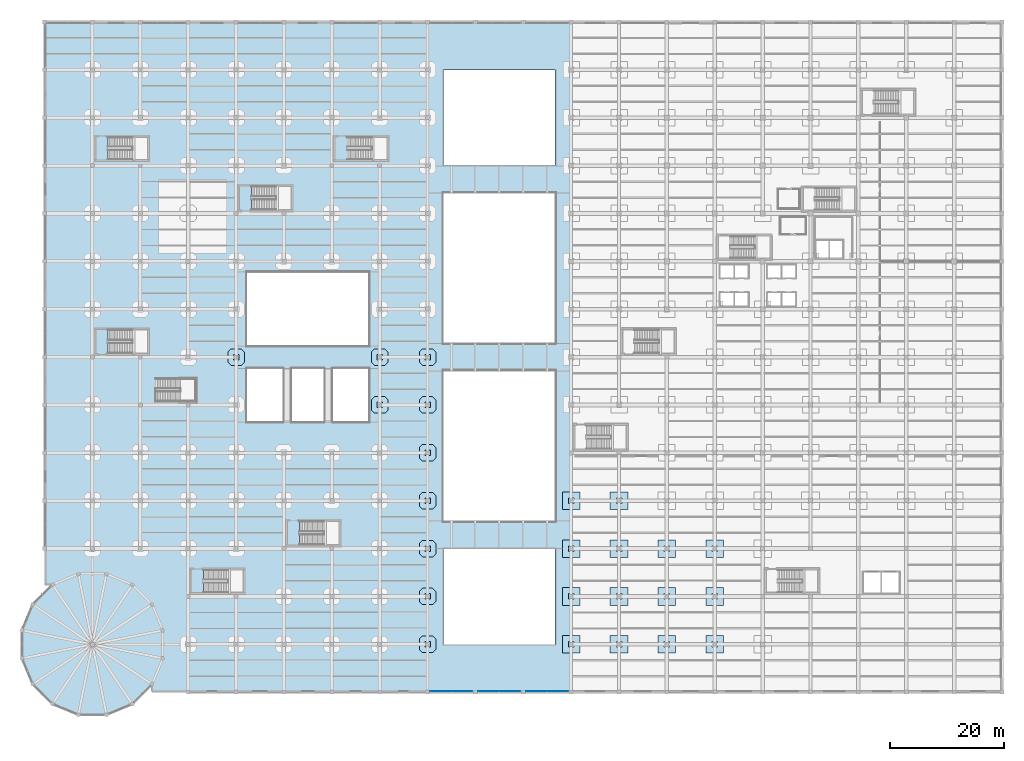
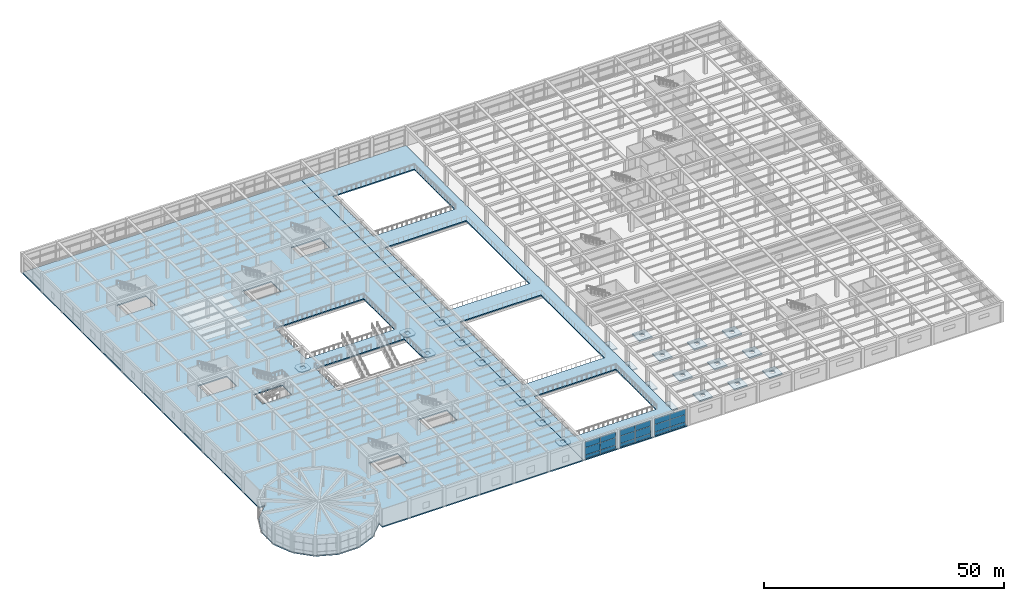
# One storey, part 70 of 95: 26 slabs, 18 plates, 3 elements without a shape of their own.
"""IFC4 building model written with IfcOpenShell, lengths in metres."""

from ifc_helpers import new_model, si_unit, direction, frame, origin, origin_2d, place, context, subcontext, project, spatial, polyline, rectangle, outline, extrude, material, layer, layer_set, type_object, element, aggregate, save


model = new_model("IFC4")

# Units and contexts
model_context = context("Model", 3, precision=1e-05, world=origin(), true_north=direction((0.0, 1.0)))
body_context = subcontext(model_context, "Body", "Model", "MODEL_VIEW")
ifc_project = project(units=[si_unit("LENGTHUNIT", "METRE"), si_unit("AREAUNIT", "SQUARE_METRE"), si_unit("VOLUMEUNIT", "CUBIC_METRE"), si_unit("PLANEANGLEUNIT", "RADIAN"), si_unit("MASSUNIT", "GRAM", prefix="KILO")], contexts=[model_context])

# Site, building, storey
site_placement = place(None, origin())
site = spatial("IfcSite", under=ifc_project, at=site_placement, CompositionType="ELEMENT")
building_placement = place(site_placement, origin())
building = spatial("IfcBuilding", under=site, at=building_placement, Name="Almacenes y Pasaje Nevantli", CompositionType="ELEMENT")
storey_placement = place(building_placement, frame((0.0, 0.0, 11.39990234375)))
storey = spatial("IfcBuildingStorey", under=building, at=storey_placement, Name="L03", CompositionType="ELEMENT", Elevation=11.39990234375)

# Curtain wall, plates
ifc_material_1 = material(Name="Thermally Broken Aluminium and Low-E Glass", Category="aluminium")
curtain_wall_type = type_object("IfcCurtainWallType", Name="CW-STF-ARCADE", PredefinedType="USERDEFINED", material=ifc_material_1)
curtain_wall_1_placement = place(storey_placement, origin())
curtain_wall_1 = element("IfcCurtainWall", 1, at=curtain_wall_1_placement, inside=storey, type_object=curtain_wall_type, Name="L03 South Arcade Portal Curtain Wall Bay 9", ObjectType="STOREFRONT GLAZING", PredefinedType="USERDEFINED")
ifc_material_2 = material(Name="Low-E Double Glazed Insulated Unit", Category="glass")
ifc_layer_1 = layer(ifc_material_2, 0.031982421875)
ifc_layer_set_1 = layer_set([ifc_layer_1], Name="Low-E Double Glazed Insulated Unit")
plate_type = type_object("IfcPlateType", Name="PL-IGU-32", PredefinedType="CURTAIN_PANEL", material=ifc_layer_set_1)
plate_1_placement = place(storey_placement, frame((69.5400390625, 0.14990234375, 0.06005859375), z_axis=(0.0, 0.0, 1.0), x_axis=(1.0, 0.0, 0.0)))
plate_1 = element("IfcPlate", 2, at=plate_1_placement, type_object=plate_type, Name="CW-L03-045 panel 1.1", PredefinedType="CURTAIN_PANEL", context=body_context, shape_type="SweptSolid", body=[
    extrude(rectangle(XDim=3.659912109375, YDim=0.031982421875, at=origin_2d()), origin(), (0.0, 0.0, 1.0), 0.860107421875),
])
plate_2_placement = place(storey_placement, frame((69.5400390625, 0.14990234375, 0.97998046875), z_axis=(0.0, 0.0, 1.0), x_axis=(1.0, 0.0, 0.0)))
plate_2 = element("IfcPlate", 3, at=plate_2_placement, type_object=plate_type, Name="CW-L03-045 panel 1.2", PredefinedType="CURTAIN_PANEL", context=body_context, shape_type="SweptSolid", body=[
    extrude(rectangle(XDim=3.659912109375, YDim=0.031982421875, at=origin_2d()), origin(), (0.0, 0.0, 1.0), 1.840087890625),
])
plate_3_placement = place(storey_placement, frame((69.5400390625, 0.14990234375, 2.880126953125), z_axis=(0.0, 0.0, 1.0), x_axis=(1.0, 0.0, 0.0)))
plate_3 = element("IfcPlate", 4, at=plate_3_placement, type_object=plate_type, Name="CW-L03-045 panel 1.3", PredefinedType="CURTAIN_PANEL", context=body_context, shape_type="SweptSolid", body=[
    extrude(rectangle(XDim=3.659912109375, YDim=0.031982421875, at=origin_2d()), origin(), (0.0, 0.0, 1.0), 1.43994140625),
])
plate_4_placement = place(storey_placement, frame((73.260009765625, 0.14990234375, 0.06005859375), z_axis=(0.0, 0.0, 1.0), x_axis=(1.0, 0.0, 0.0)))
plate_4 = element("IfcPlate", 5, at=plate_4_placement, type_object=plate_type, Name="CW-L03-045 panel 2.1", PredefinedType="CURTAIN_PANEL", context=body_context, shape_type="SweptSolid", body=[
    extrude(rectangle(XDim=3.659912109375, YDim=0.031982421875, at=origin_2d()), origin(), (0.0, 0.0, 1.0), 0.860107421875),
])
plate_5_placement = place(storey_placement, frame((73.260009765625, 0.14990234375, 0.97998046875), z_axis=(0.0, 0.0, 1.0), x_axis=(1.0, 0.0, 0.0)))
plate_5 = element("IfcPlate", 6, at=plate_5_placement, type_object=plate_type, Name="CW-L03-045 panel 2.2", PredefinedType="CURTAIN_PANEL", context=body_context, shape_type="SweptSolid", body=[
    extrude(rectangle(XDim=3.659912109375, YDim=0.031982421875, at=origin_2d()), origin(), (0.0, 0.0, 1.0), 1.840087890625),
])
plate_6_placement = place(storey_placement, frame((73.260009765625, 0.14990234375, 2.880126953125), z_axis=(0.0, 0.0, 1.0), x_axis=(1.0, 0.0, 0.0)))
plate_6 = element("IfcPlate", 7, at=plate_6_placement, type_object=plate_type, Name="CW-L03-045 panel 2.3", PredefinedType="CURTAIN_PANEL", context=body_context, shape_type="SweptSolid", body=[
    extrude(rectangle(XDim=3.659912109375, YDim=0.031982421875, at=origin_2d()), origin(), (0.0, 0.0, 1.0), 1.43994140625),
])
aggregate(curtain_wall_1, [plate_1, plate_2, plate_3, plate_4, plate_5, plate_6])

curtain_wall_2_placement = place(storey_placement, origin())
curtain_wall_2 = element("IfcCurtainWall", 8, at=curtain_wall_2_placement, inside=storey, type_object=curtain_wall_type, Name="L03 South Arcade Portal Curtain Wall Bay 10", ObjectType="STOREFRONT GLAZING", PredefinedType="USERDEFINED")
plate_7_placement = place(storey_placement, frame((77.93994140625, 0.14990234375, 0.06005859375), z_axis=(0.0, 0.0, 1.0), x_axis=(1.0, 0.0, 0.0)))
plate_7 = element("IfcPlate", 9, at=plate_7_placement, type_object=plate_type, Name="CW-L03-046 panel 1.1", PredefinedType="CURTAIN_PANEL", context=body_context, shape_type="SweptSolid", body=[
    extrude(rectangle(XDim=3.659912109375, YDim=0.031982421875, at=origin_2d()), origin(), (0.0, 0.0, 1.0), 0.860107421875),
])
plate_8_placement = place(storey_placement, frame((77.93994140625, 0.14990234375, 0.97998046875), z_axis=(0.0, 0.0, 1.0), x_axis=(1.0, 0.0, 0.0)))
plate_8 = element("IfcPlate", 10, at=plate_8_placement, type_object=plate_type, Name="CW-L03-046 panel 1.2", PredefinedType="CURTAIN_PANEL", context=body_context, shape_type="SweptSolid", body=[
    extrude(rectangle(XDim=3.659912109375, YDim=0.031982421875, at=origin_2d()), origin(), (0.0, 0.0, 1.0), 1.840087890625),
])
plate_9_placement = place(storey_placement, frame((77.93994140625, 0.14990234375, 2.880126953125), z_axis=(0.0, 0.0, 1.0), x_axis=(1.0, 0.0, 0.0)))
plate_9 = element("IfcPlate", 11, at=plate_9_placement, type_object=plate_type, Name="CW-L03-046 panel 1.3", PredefinedType="CURTAIN_PANEL", context=body_context, shape_type="SweptSolid", body=[
    extrude(rectangle(XDim=3.659912109375, YDim=0.031982421875, at=origin_2d()), origin(), (0.0, 0.0, 1.0), 1.43994140625),
])
plate_10_placement = place(storey_placement, frame((81.659912109375, 0.14990234375, 0.06005859375), z_axis=(0.0, 0.0, 1.0), x_axis=(1.0, 0.0, 0.0)))
plate_10 = element("IfcPlate", 12, at=plate_10_placement, type_object=plate_type, Name="CW-L03-046 panel 2.1", PredefinedType="CURTAIN_PANEL", context=body_context, shape_type="SweptSolid", body=[
    extrude(rectangle(XDim=3.659912109375, YDim=0.031982421875, at=origin_2d()), origin(), (0.0, 0.0, 1.0), 0.860107421875),
])
plate_11_placement = place(storey_placement, frame((81.659912109375, 0.14990234375, 0.97998046875), z_axis=(0.0, 0.0, 1.0), x_axis=(1.0, 0.0, 0.0)))
plate_11 = element("IfcPlate", 13, at=plate_11_placement, type_object=plate_type, Name="CW-L03-046 panel 2.2", PredefinedType="CURTAIN_PANEL", context=body_context, shape_type="SweptSolid", body=[
    extrude(rectangle(XDim=3.659912109375, YDim=0.031982421875, at=origin_2d()), origin(), (0.0, 0.0, 1.0), 1.840087890625),
])
plate_12_placement = place(storey_placement, frame((81.659912109375, 0.14990234375, 2.880126953125), z_axis=(0.0, 0.0, 1.0), x_axis=(1.0, 0.0, 0.0)))
plate_12 = element("IfcPlate", 14, at=plate_12_placement, type_object=plate_type, Name="CW-L03-046 panel 2.3", PredefinedType="CURTAIN_PANEL", context=body_context, shape_type="SweptSolid", body=[
    extrude(rectangle(XDim=3.659912109375, YDim=0.031982421875, at=origin_2d()), origin(), (0.0, 0.0, 1.0), 1.43994140625),
])
aggregate(curtain_wall_2, [plate_7, plate_8, plate_9, plate_10, plate_11, plate_12])

curtain_wall_3_placement = place(storey_placement, origin())
curtain_wall_3 = element("IfcCurtainWall", 15, at=curtain_wall_3_placement, inside=storey, type_object=curtain_wall_type, Name="L03 South Arcade Portal Curtain Wall Bay 11", ObjectType="STOREFRONT GLAZING", PredefinedType="USERDEFINED")
plate_13_placement = place(storey_placement, frame((86.340087890625, 0.14990234375, 0.06005859375), z_axis=(0.0, 0.0, 1.0), x_axis=(1.0, 0.0, 0.0)))
plate_13 = element("IfcPlate", 16, at=plate_13_placement, type_object=plate_type, Name="CW-L03-047 panel 1.1", PredefinedType="CURTAIN_PANEL", context=body_context, shape_type="SweptSolid", body=[
    extrude(rectangle(XDim=3.659912109375, YDim=0.031982421875, at=origin_2d()), origin(), (0.0, 0.0, 1.0), 0.860107421875),
])
plate_14_placement = place(storey_placement, frame((86.340087890625, 0.14990234375, 0.97998046875), z_axis=(0.0, 0.0, 1.0), x_axis=(1.0, 0.0, 0.0)))
plate_14 = element("IfcPlate", 17, at=plate_14_placement, type_object=plate_type, Name="CW-L03-047 panel 1.2", PredefinedType="CURTAIN_PANEL", context=body_context, shape_type="SweptSolid", body=[
    extrude(rectangle(XDim=3.659912109375, YDim=0.031982421875, at=origin_2d()), origin(), (0.0, 0.0, 1.0), 1.840087890625),
])
plate_15_placement = place(storey_placement, frame((86.340087890625, 0.14990234375, 2.880126953125), z_axis=(0.0, 0.0, 1.0), x_axis=(1.0, 0.0, 0.0)))
plate_15 = element("IfcPlate", 18, at=plate_15_placement, type_object=plate_type, Name="CW-L03-047 panel 1.3", PredefinedType="CURTAIN_PANEL", context=body_context, shape_type="SweptSolid", body=[
    extrude(rectangle(XDim=3.659912109375, YDim=0.031982421875, at=origin_2d()), origin(), (0.0, 0.0, 1.0), 1.43994140625),
])
plate_16_placement = place(storey_placement, frame((90.06005859375, 0.14990234375, 0.06005859375), z_axis=(0.0, 0.0, 1.0), x_axis=(1.0, 0.0, 0.0)))
plate_16 = element("IfcPlate", 19, at=plate_16_placement, type_object=plate_type, Name="CW-L03-047 panel 2.1", PredefinedType="CURTAIN_PANEL", context=body_context, shape_type="SweptSolid", body=[
    extrude(rectangle(XDim=3.659912109375, YDim=0.031982421875, at=origin_2d()), origin(), (0.0, 0.0, 1.0), 0.860107421875),
])
plate_17_placement = place(storey_placement, frame((90.06005859375, 0.14990234375, 0.97998046875), z_axis=(0.0, 0.0, 1.0), x_axis=(1.0, 0.0, 0.0)))
plate_17 = element("IfcPlate", 20, at=plate_17_placement, type_object=plate_type, Name="CW-L03-047 panel 2.2", PredefinedType="CURTAIN_PANEL", context=body_context, shape_type="SweptSolid", body=[
    extrude(rectangle(XDim=3.659912109375, YDim=0.031982421875, at=origin_2d()), origin(), (0.0, 0.0, 1.0), 1.840087890625),
])
plate_18_placement = place(storey_placement, frame((90.06005859375, 0.14990234375, 2.880126953125), z_axis=(0.0, 0.0, 1.0), x_axis=(1.0, 0.0, 0.0)))
plate_18 = element("IfcPlate", 21, at=plate_18_placement, type_object=plate_type, Name="CW-L03-047 panel 2.3", PredefinedType="CURTAIN_PANEL", context=body_context, shape_type="SweptSolid", body=[
    extrude(rectangle(XDim=3.659912109375, YDim=0.031982421875, at=origin_2d()), origin(), (0.0, 0.0, 1.0), 1.43994140625),
])
aggregate(curtain_wall_3, [plate_13, plate_14, plate_15, plate_16, plate_17, plate_18])

# Slabs
ifc_material_3 = material(Name="Concrete C35/45", Category="concrete")
ifc_layer_2 = layer(ifc_material_3, 0.25)
ifc_layer_set_2 = layer_set([ifc_layer_2], Name="Concrete C35/45")
slab_type_1 = type_object("IfcSlabType", Name="SLB-DP-250", PredefinedType="USERDEFINED", material=ifc_layer_set_2)
slab_1_placement = place(storey_placement, frame((0.0, 0.0, -0.5498046875)))
element("IfcSlab", 22, at=slab_1_placement, inside=storey, type_object=slab_type_1, Name="L03 Punching-Shear Drop Panel DP-02 #608", ObjectType="DROP PANEL", PredefinedType="USERDEFINED", context=body_context, shape_type="SweptSolid", body=[
    extrude(outline(polyline([(32.699951171875, 57.35009765625), (34.5, 57.35009765625), (35.050048828125, 57.89990234375), (35.050048828125, 59.699951171875), (34.5, 60.25), (32.699951171875, 60.25), (32.14990234375, 59.699951171875), (32.14990234375, 57.89990234375), (32.699951171875, 57.35009765625)]), holes=[polyline([(33.1201171875, 58.320068359375), (34.080078125, 58.320068359375), (34.080078125, 59.280029296875), (33.1201171875, 59.280029296875), (33.1201171875, 58.320068359375)])]), origin(), (0.0, 0.0, 1.0), 0.25),
])
slab_2_placement = place(storey_placement, frame((0.0, 0.0, -0.5498046875)))
element("IfcSlab", 23, at=slab_2_placement, inside=storey, type_object=slab_type_1, Name="L03 Punching-Shear Drop Panel DP-02 #635", ObjectType="DROP PANEL", PredefinedType="USERDEFINED", context=body_context, shape_type="SweptSolid", body=[
    extrude(outline(polyline([(57.89990234375, 48.949951171875), (59.699951171875, 48.949951171875), (60.25, 49.5), (60.25, 51.300048828125), (59.699951171875, 51.85009765625), (57.89990234375, 51.85009765625), (57.35009765625, 51.300048828125), (57.35009765625, 49.5), (57.89990234375, 48.949951171875)]), holes=[polyline([(58.320068359375, 49.919921875), (59.280029296875, 49.919921875), (59.280029296875, 50.8798828125), (58.320068359375, 50.8798828125), (58.320068359375, 49.919921875)])]), origin(), (0.0, 0.0, 1.0), 0.25),
])
slab_3_placement = place(storey_placement, frame((0.0, 0.0, -0.5498046875)))
element("IfcSlab", 24, at=slab_3_placement, inside=storey, type_object=slab_type_1, Name="L03 Punching-Shear Drop Panel DP-02 #636", ObjectType="DROP PANEL", PredefinedType="USERDEFINED", context=body_context, shape_type="SweptSolid", body=[
    extrude(outline(polyline([(57.89990234375, 57.35009765625), (59.699951171875, 57.35009765625), (60.25, 57.89990234375), (60.25, 59.699951171875), (59.699951171875, 60.25), (57.89990234375, 60.25), (57.35009765625, 59.699951171875), (57.35009765625, 57.89990234375), (57.89990234375, 57.35009765625)]), holes=[polyline([(58.320068359375, 58.320068359375), (59.280029296875, 58.320068359375), (59.280029296875, 59.280029296875), (58.320068359375, 59.280029296875), (58.320068359375, 58.320068359375)])]), origin(), (0.0, 0.0, 1.0), 0.25),
])
slab_4_placement = place(storey_placement, frame((0.0, 0.0, -0.5498046875)))
element("IfcSlab", 25, at=slab_4_placement, inside=storey, type_object=slab_type_1, Name="L03 Punching-Shear Drop Panel DP-02 #642", ObjectType="DROP PANEL", PredefinedType="USERDEFINED", context=body_context, shape_type="SweptSolid", body=[
    extrude(outline(polyline([(66.300048828125, 6.949951171875), (68.10009765625, 6.949951171875), (68.64990234375, 7.5), (68.64990234375, 9.300048828125), (68.10009765625, 9.85009765625), (66.300048828125, 9.85009765625), (65.75, 9.300048828125), (65.75, 7.5), (66.300048828125, 6.949951171875)]), holes=[polyline([(66.719970703125, 7.919921875), (67.679931640625, 7.919921875), (67.679931640625, 8.8798828125), (66.719970703125, 8.8798828125), (66.719970703125, 7.919921875)])]), origin(), (0.0, 0.0, 1.0), 0.25),
])
slab_5_placement = place(storey_placement, frame((0.0, 0.0, -0.5498046875)))
element("IfcSlab", 26, at=slab_5_placement, inside=storey, type_object=slab_type_1, Name="L03 Punching-Shear Drop Panel DP-02 #643", ObjectType="DROP PANEL", PredefinedType="USERDEFINED", context=body_context, shape_type="SweptSolid", body=[
    extrude(outline(polyline([(66.300048828125, 15.35009765625), (68.10009765625, 15.35009765625), (68.64990234375, 15.89990234375), (68.64990234375, 17.699951171875), (68.10009765625, 18.25), (66.300048828125, 18.25), (65.75, 17.699951171875), (65.75, 15.89990234375), (66.300048828125, 15.35009765625)]), holes=[polyline([(66.719970703125, 16.320068359375), (67.679931640625, 16.320068359375), (67.679931640625, 17.280029296875), (66.719970703125, 17.280029296875), (66.719970703125, 16.320068359375)])]), origin(), (0.0, 0.0, 1.0), 0.25),
])
slab_6_placement = place(storey_placement, frame((0.0, 0.0, -0.5498046875)))
element("IfcSlab", 27, at=slab_6_placement, inside=storey, type_object=slab_type_1, Name="L03 Punching-Shear Drop Panel DP-02 #644", ObjectType="DROP PANEL", PredefinedType="USERDEFINED", context=body_context, shape_type="SweptSolid", body=[
    extrude(outline(polyline([(66.300048828125, 23.75), (68.10009765625, 23.75), (68.64990234375, 24.300048828125), (68.64990234375, 26.10009765625), (68.10009765625, 26.64990234375), (66.300048828125, 26.64990234375), (65.75, 26.10009765625), (65.75, 24.300048828125), (66.300048828125, 23.75)]), holes=[polyline([(66.719970703125, 24.719970703125), (67.679931640625, 24.719970703125), (67.679931640625, 25.679931640625), (66.719970703125, 25.679931640625), (66.719970703125, 24.719970703125)])]), origin(), (0.0, 0.0, 1.0), 0.25),
])
slab_7_placement = place(storey_placement, frame((0.0, 0.0, -0.5498046875)))
element("IfcSlab", 28, at=slab_7_placement, inside=storey, type_object=slab_type_1, Name="L03 Punching-Shear Drop Panel DP-02 #645", ObjectType="DROP PANEL", PredefinedType="USERDEFINED", context=body_context, shape_type="SweptSolid", body=[
    extrude(outline(polyline([(66.300048828125, 32.14990234375), (68.10009765625, 32.14990234375), (68.64990234375, 32.699951171875), (68.64990234375, 34.5), (68.10009765625, 35.050048828125), (66.300048828125, 35.050048828125), (65.75, 34.5), (65.75, 32.699951171875), (66.300048828125, 32.14990234375)]), holes=[polyline([(66.719970703125, 33.1201171875), (67.679931640625, 33.1201171875), (67.679931640625, 34.080078125), (66.719970703125, 34.080078125), (66.719970703125, 33.1201171875)])]), origin(), (0.0, 0.0, 1.0), 0.25),
])
slab_8_placement = place(storey_placement, frame((0.0, 0.0, -0.5498046875)))
element("IfcSlab", 29, at=slab_8_placement, inside=storey, type_object=slab_type_1, Name="L03 Punching-Shear Drop Panel DP-02 #646", ObjectType="DROP PANEL", PredefinedType="USERDEFINED", context=body_context, shape_type="SweptSolid", body=[
    extrude(outline(polyline([(66.300048828125, 40.550048828125), (68.10009765625, 40.550048828125), (68.64990234375, 41.10009765625), (68.64990234375, 42.89990234375), (68.10009765625, 43.449951171875), (66.300048828125, 43.449951171875), (65.75, 42.89990234375), (65.75, 41.10009765625), (66.300048828125, 40.550048828125)]), holes=[polyline([(66.719970703125, 41.52001953125), (67.679931640625, 41.52001953125), (67.679931640625, 42.47998046875), (66.719970703125, 42.47998046875), (66.719970703125, 41.52001953125)])]), origin(), (0.0, 0.0, 1.0), 0.25),
])
slab_9_placement = place(storey_placement, frame((0.0, 0.0, -0.5498046875)))
element("IfcSlab", 30, at=slab_9_placement, inside=storey, type_object=slab_type_1, Name="L03 Punching-Shear Drop Panel DP-02 #647", ObjectType="DROP PANEL", PredefinedType="USERDEFINED", context=body_context, shape_type="SweptSolid", body=[
    extrude(outline(polyline([(66.300048828125, 48.949951171875), (68.10009765625, 48.949951171875), (68.64990234375, 49.5), (68.64990234375, 51.300048828125), (68.10009765625, 51.85009765625), (66.300048828125, 51.85009765625), (65.75, 51.300048828125), (65.75, 49.5), (66.300048828125, 48.949951171875)]), holes=[polyline([(66.719970703125, 49.919921875), (67.679931640625, 49.919921875), (67.679931640625, 50.8798828125), (66.719970703125, 50.8798828125), (66.719970703125, 49.919921875)])]), origin(), (0.0, 0.0, 1.0), 0.25),
])
slab_10_placement = place(storey_placement, frame((0.0, 0.0, -0.5498046875)))
element("IfcSlab", 31, at=slab_10_placement, inside=storey, type_object=slab_type_1, Name="L03 Punching-Shear Drop Panel DP-02 #648", ObjectType="DROP PANEL", PredefinedType="USERDEFINED", context=body_context, shape_type="SweptSolid", body=[
    extrude(outline(polyline([(66.300048828125, 57.35009765625), (68.10009765625, 57.35009765625), (68.64990234375, 57.89990234375), (68.64990234375, 59.699951171875), (68.10009765625, 60.25), (66.300048828125, 60.25), (65.75, 59.699951171875), (65.75, 57.89990234375), (66.300048828125, 57.35009765625)]), holes=[polyline([(66.719970703125, 58.320068359375), (67.679931640625, 58.320068359375), (67.679931640625, 59.280029296875), (66.719970703125, 59.280029296875), (66.719970703125, 58.320068359375)])]), origin(), (0.0, 0.0, 1.0), 0.25),
])
ifc_material_4 = material(Name="Concrete C35/45", Category="concrete")
ifc_layer_3 = layer(ifc_material_4, 0.31005859375)
ifc_layer_set_3 = layer_set([ifc_layer_3], Name="Concrete C35/45")
slab_type_2 = type_object("IfcSlabType", Name="SLB-DP-310", PredefinedType="USERDEFINED", material=ifc_layer_set_3)
slab_11_placement = place(storey_placement, frame((0.0, 0.0, -0.60986328125)))
element("IfcSlab", 32, at=slab_11_placement, inside=storey, type_object=slab_type_2, Name="L03 Punching-Shear Drop Panel DP-03 #655", ObjectType="DROP PANEL", PredefinedType="USERDEFINED", context=body_context, shape_type="SweptSolid", body=[
    extrude(outline(polyline([(90.85009765625, 6.85009765625), (93.949951171875, 6.85009765625), (93.949951171875, 9.949951171875), (90.85009765625, 9.949951171875), (90.85009765625, 6.85009765625)]), holes=[polyline([(91.919921875, 7.919921875), (92.8798828125, 7.919921875), (92.8798828125, 8.8798828125), (91.919921875, 8.8798828125), (91.919921875, 7.919921875)])]), origin(), (0.0, 0.0, 1.0), 0.31005859375),
])
slab_12_placement = place(storey_placement, frame((0.0, 0.0, -0.60986328125)))
element("IfcSlab", 33, at=slab_12_placement, inside=storey, type_object=slab_type_2, Name="L03 Punching-Shear Drop Panel DP-03 #656", ObjectType="DROP PANEL", PredefinedType="USERDEFINED", context=body_context, shape_type="SweptSolid", body=[
    extrude(outline(polyline([(90.85009765625, 15.25), (93.949951171875, 15.25), (93.949951171875, 18.35009765625), (90.85009765625, 18.35009765625), (90.85009765625, 15.25)]), holes=[polyline([(91.919921875, 16.320068359375), (92.8798828125, 16.320068359375), (92.8798828125, 17.280029296875), (91.919921875, 17.280029296875), (91.919921875, 16.320068359375)])]), origin(), (0.0, 0.0, 1.0), 0.31005859375),
])
slab_13_placement = place(storey_placement, frame((0.0, 0.0, -0.60986328125)))
element("IfcSlab", 34, at=slab_13_placement, inside=storey, type_object=slab_type_2, Name="L03 Punching-Shear Drop Panel DP-03 #657", ObjectType="DROP PANEL", PredefinedType="USERDEFINED", context=body_context, shape_type="SweptSolid", body=[
    extrude(outline(polyline([(90.85009765625, 23.64990234375), (93.949951171875, 23.64990234375), (93.949951171875, 26.75), (90.85009765625, 26.75), (90.85009765625, 23.64990234375)]), holes=[polyline([(91.919921875, 24.719970703125), (92.8798828125, 24.719970703125), (92.8798828125, 25.679931640625), (91.919921875, 25.679931640625), (91.919921875, 24.719970703125)])]), origin(), (0.0, 0.0, 1.0), 0.31005859375),
])
slab_14_placement = place(storey_placement, frame((0.0, 0.0, -0.60986328125)))
element("IfcSlab", 35, at=slab_14_placement, inside=storey, type_object=slab_type_2, Name="L03 Punching-Shear Drop Panel DP-03 #658", ObjectType="DROP PANEL", PredefinedType="USERDEFINED", context=body_context, shape_type="SweptSolid", body=[
    extrude(outline(polyline([(90.85009765625, 32.050048828125), (93.949951171875, 32.050048828125), (93.949951171875, 35.14990234375), (90.85009765625, 35.14990234375), (90.85009765625, 32.050048828125)]), holes=[polyline([(91.919921875, 33.1201171875), (92.8798828125, 33.1201171875), (92.8798828125, 34.080078125), (91.919921875, 34.080078125), (91.919921875, 33.1201171875)])]), origin(), (0.0, 0.0, 1.0), 0.31005859375),
])
slab_15_placement = place(storey_placement, frame((0.0, 0.0, -0.60986328125)))
element("IfcSlab", 36, at=slab_15_placement, inside=storey, type_object=slab_type_2, Name="L03 Punching-Shear Drop Panel DP-03 #667", ObjectType="DROP PANEL", PredefinedType="USERDEFINED", context=body_context, shape_type="SweptSolid", body=[
    extrude(outline(polyline([(99.25, 6.85009765625), (102.35009765625, 6.85009765625), (102.35009765625, 9.949951171875), (99.25, 9.949951171875), (99.25, 6.85009765625)]), holes=[polyline([(100.320068359375, 7.919921875), (101.280029296875, 7.919921875), (101.280029296875, 8.8798828125), (100.320068359375, 8.8798828125), (100.320068359375, 7.919921875)])]), origin(), (0.0, 0.0, 1.0), 0.31005859375),
])
slab_16_placement = place(storey_placement, frame((0.0, 0.0, -0.60986328125)))
element("IfcSlab", 37, at=slab_16_placement, inside=storey, type_object=slab_type_2, Name="L03 Punching-Shear Drop Panel DP-03 #668", ObjectType="DROP PANEL", PredefinedType="USERDEFINED", context=body_context, shape_type="SweptSolid", body=[
    extrude(outline(polyline([(99.25, 15.25), (102.35009765625, 15.25), (102.35009765625, 18.35009765625), (99.25, 18.35009765625), (99.25, 15.25)]), holes=[polyline([(100.320068359375, 16.320068359375), (101.280029296875, 16.320068359375), (101.280029296875, 17.280029296875), (100.320068359375, 17.280029296875), (100.320068359375, 16.320068359375)])]), origin(), (0.0, 0.0, 1.0), 0.31005859375),
])
slab_17_placement = place(storey_placement, frame((0.0, 0.0, -0.60986328125)))
element("IfcSlab", 38, at=slab_17_placement, inside=storey, type_object=slab_type_2, Name="L03 Punching-Shear Drop Panel DP-03 #669", ObjectType="DROP PANEL", PredefinedType="USERDEFINED", context=body_context, shape_type="SweptSolid", body=[
    extrude(outline(polyline([(99.25, 23.64990234375), (102.35009765625, 23.64990234375), (102.35009765625, 26.75), (99.25, 26.75), (99.25, 23.64990234375)]), holes=[polyline([(100.320068359375, 24.719970703125), (101.280029296875, 24.719970703125), (101.280029296875, 25.679931640625), (100.320068359375, 25.679931640625), (100.320068359375, 24.719970703125)])]), origin(), (0.0, 0.0, 1.0), 0.31005859375),
])
slab_18_placement = place(storey_placement, frame((0.0, 0.0, -0.60986328125)))
element("IfcSlab", 39, at=slab_18_placement, inside=storey, type_object=slab_type_2, Name="L03 Punching-Shear Drop Panel DP-03 #670", ObjectType="DROP PANEL", PredefinedType="USERDEFINED", context=body_context, shape_type="SweptSolid", body=[
    extrude(outline(polyline([(99.25, 32.050048828125), (102.35009765625, 32.050048828125), (102.35009765625, 35.14990234375), (99.25, 35.14990234375), (99.25, 32.050048828125)]), holes=[polyline([(100.320068359375, 33.1201171875), (101.280029296875, 33.1201171875), (101.280029296875, 34.080078125), (100.320068359375, 34.080078125), (100.320068359375, 33.1201171875)])]), origin(), (0.0, 0.0, 1.0), 0.31005859375),
])
slab_19_placement = place(storey_placement, frame((0.0, 0.0, -0.60986328125)))
element("IfcSlab", 40, at=slab_19_placement, inside=storey, type_object=slab_type_2, Name="L03 Punching-Shear Drop Panel DP-03 #678", ObjectType="DROP PANEL", PredefinedType="USERDEFINED", context=body_context, shape_type="SweptSolid", body=[
    extrude(outline(polyline([(107.64990234375, 6.85009765625), (110.75, 6.85009765625), (110.75, 9.949951171875), (107.64990234375, 9.949951171875), (107.64990234375, 6.85009765625)]), holes=[polyline([(108.719970703125, 7.919921875), (109.679931640625, 7.919921875), (109.679931640625, 8.8798828125), (108.719970703125, 8.8798828125), (108.719970703125, 7.919921875)])]), origin(), (0.0, 0.0, 1.0), 0.31005859375),
])
slab_20_placement = place(storey_placement, frame((0.0, 0.0, -0.60986328125)))
element("IfcSlab", 41, at=slab_20_placement, inside=storey, type_object=slab_type_2, Name="L03 Punching-Shear Drop Panel DP-03 #679", ObjectType="DROP PANEL", PredefinedType="USERDEFINED", context=body_context, shape_type="SweptSolid", body=[
    extrude(outline(polyline([(107.64990234375, 15.25), (110.75, 15.25), (110.75, 18.35009765625), (107.64990234375, 18.35009765625), (107.64990234375, 15.25)]), holes=[polyline([(108.719970703125, 16.320068359375), (109.679931640625, 16.320068359375), (109.679931640625, 17.280029296875), (108.719970703125, 17.280029296875), (108.719970703125, 16.320068359375)])]), origin(), (0.0, 0.0, 1.0), 0.31005859375),
])
slab_21_placement = place(storey_placement, frame((0.0, 0.0, -0.60986328125)))
element("IfcSlab", 42, at=slab_21_placement, inside=storey, type_object=slab_type_2, Name="L03 Punching-Shear Drop Panel DP-03 #680", ObjectType="DROP PANEL", PredefinedType="USERDEFINED", context=body_context, shape_type="SweptSolid", body=[
    extrude(outline(polyline([(107.64990234375, 23.64990234375), (110.75, 23.64990234375), (110.75, 26.75), (107.64990234375, 26.75), (107.64990234375, 23.64990234375)]), holes=[polyline([(108.719970703125, 24.719970703125), (109.679931640625, 24.719970703125), (109.679931640625, 25.679931640625), (108.719970703125, 25.679931640625), (108.719970703125, 24.719970703125)])]), origin(), (0.0, 0.0, 1.0), 0.31005859375),
])
slab_22_placement = place(storey_placement, frame((0.0, 0.0, -0.60986328125)))
element("IfcSlab", 43, at=slab_22_placement, inside=storey, type_object=slab_type_2, Name="L03 Punching-Shear Drop Panel DP-03 #690", ObjectType="DROP PANEL", PredefinedType="USERDEFINED", context=body_context, shape_type="SweptSolid", body=[
    extrude(outline(polyline([(116.050048828125, 6.85009765625), (119.14990234375, 6.85009765625), (119.14990234375, 9.949951171875), (116.050048828125, 9.949951171875), (116.050048828125, 6.85009765625)]), holes=[polyline([(117.1201171875, 7.919921875), (118.080078125, 7.919921875), (118.080078125, 8.8798828125), (117.1201171875, 8.8798828125), (117.1201171875, 7.919921875)])]), origin(), (0.0, 0.0, 1.0), 0.31005859375),
])
slab_23_placement = place(storey_placement, frame((0.0, 0.0, -0.60986328125)))
element("IfcSlab", 44, at=slab_23_placement, inside=storey, type_object=slab_type_2, Name="L03 Punching-Shear Drop Panel DP-03 #691", ObjectType="DROP PANEL", PredefinedType="USERDEFINED", context=body_context, shape_type="SweptSolid", body=[
    extrude(outline(polyline([(116.050048828125, 15.25), (119.14990234375, 15.25), (119.14990234375, 18.35009765625), (116.050048828125, 18.35009765625), (116.050048828125, 15.25)]), holes=[polyline([(117.1201171875, 16.320068359375), (118.080078125, 16.320068359375), (118.080078125, 17.280029296875), (117.1201171875, 17.280029296875), (117.1201171875, 16.320068359375)])]), origin(), (0.0, 0.0, 1.0), 0.31005859375),
])
slab_24_placement = place(storey_placement, frame((0.0, 0.0, -0.60986328125)))
element("IfcSlab", 45, at=slab_24_placement, inside=storey, type_object=slab_type_2, Name="L03 Punching-Shear Drop Panel DP-03 #692", ObjectType="DROP PANEL", PredefinedType="USERDEFINED", context=body_context, shape_type="SweptSolid", body=[
    extrude(outline(polyline([(116.050048828125, 23.64990234375), (119.14990234375, 23.64990234375), (119.14990234375, 26.75), (116.050048828125, 26.75), (116.050048828125, 23.64990234375)]), holes=[polyline([(117.1201171875, 24.719970703125), (118.080078125, 24.719970703125), (118.080078125, 25.679931640625), (117.1201171875, 25.679931640625), (117.1201171875, 24.719970703125)])]), origin(), (0.0, 0.0, 1.0), 0.31005859375),
])
ifc_material_5 = material(Name="Concrete C35/45", Category="concrete")
ifc_layer_4 = layer(ifc_material_5, 0.300048828125)
ifc_layer_set_4 = layer_set([ifc_layer_4], Name="Concrete C35/45")
slab_type_3 = type_object("IfcSlabType", Name="SLB-FLR-300", PredefinedType="FLOOR", material=ifc_layer_set_4)
slab_25_placement = place(storey_placement, frame((0.0, 0.0, -0.2998046875)))
element("IfcSlab", 46, at=slab_25_placement, inside=storey, type_object=slab_type_3, Name="L03 West Department Store and Rotunda Floor Slab", PredefinedType="FLOOR", context=body_context, shape_type="SweptSolid", body=[
    extrude(outline(polyline([(18.87646484375, 0.0), (67.199951171875, 0.0), (67.199951171875, 117.60009765625), (0.0, 117.60009765625), (0.0, 18.87646484375), (1.39990234375, 18.87646484375), (-2.076416015625, 15.400146484375), (-3.9580078125, 10.858154296875), (-3.9580078125, 5.94189453125), (-2.076416015625, 1.39990234375), (1.39990234375, -2.076416015625), (5.94189453125, -3.9580078125), (10.858154296875, -3.9580078125), (15.400146484375, -2.076416015625), (18.87646484375, 1.39990234375), (18.87646484375, 0.0)]), holes=[polyline([(11.114990234375, 93.449951171875), (18.10009765625, 93.449951171875), (18.10009765625, 97.39990234375), (11.114990234375, 97.39990234375), (11.114990234375, 93.449951171875)]), polyline([(27.9150390625, 17.5), (34.89990234375, 17.5), (34.89990234375, 21.449951171875), (27.9150390625, 21.449951171875), (27.9150390625, 17.5)]), polyline([(53.114990234375, 93.449951171875), (60.10009765625, 93.449951171875), (60.10009765625, 97.39990234375), (53.114990234375, 97.39990234375), (53.114990234375, 93.449951171875)]), polyline([(11.114990234375, 59.449951171875), (18.10009765625, 59.449951171875), (18.10009765625, 63.60009765625), (11.114990234375, 63.60009765625), (11.114990234375, 59.449951171875)]), polyline([(44.715087890625, 25.85009765625), (51.699951171875, 25.85009765625), (51.699951171875, 30.0), (44.715087890625, 30.0), (44.715087890625, 25.85009765625)]), polyline([(36.31494140625, 84.64990234375), (43.300048828125, 84.64990234375), (43.300048828125, 88.800048828125), (36.31494140625, 88.800048828125), (36.31494140625, 84.64990234375)]), polyline([(19.514892578125, 51.050048828125), (26.5, 51.050048828125), (26.5, 55.0), (19.514892578125, 55.0), (19.514892578125, 51.050048828125)]), polyline([(35.5, 47.449951171875), (56.89990234375, 47.449951171875), (56.89990234375, 56.800048828125), (35.5, 56.800048828125), (35.5, 47.449951171875)]), polyline([(35.5, 60.800048828125), (56.89990234375, 60.800048828125), (56.89990234375, 73.699951171875), (35.5, 73.699951171875), (35.5, 60.800048828125)])]), origin(), (0.0, 0.0, 1.0), 0.2998046875),
])
slab_26_placement = place(storey_placement, frame((0.0, 0.0, -0.2998046875)))
element("IfcSlab", 47, at=slab_26_placement, inside=storey, type_object=slab_type_3, Name="L03 Arcade Gallery and Pedestrian Bridge Slab", PredefinedType="FLOOR", context=body_context, shape_type="SweptSolid", body=[
    extrude(outline(polyline([(67.199951171875, 0.0), (92.39990234375, 0.0), (92.39990234375, 117.60009765625), (67.199951171875, 117.60009765625), (67.199951171875, 0.0)]), holes=[polyline([(70.0, 8.39990234375), (89.60009765625, 8.39990234375), (89.60009765625, 25.199951171875), (70.0, 25.199951171875), (70.0, 8.39990234375)]), polyline([(70.0, 30.0), (89.60009765625, 30.0), (89.60009765625, 56.39990234375), (70.0, 56.39990234375), (70.0, 30.0)]), polyline([(70.0, 61.199951171875), (89.60009765625, 61.199951171875), (89.60009765625, 87.60009765625), (70.0, 87.60009765625), (70.0, 61.199951171875)]), polyline([(70.0, 92.39990234375), (89.60009765625, 92.39990234375), (89.60009765625, 109.199951171875), (70.0, 109.199951171875), (70.0, 92.39990234375)])]), origin(), (0.0, 0.0, 1.0), 0.2998046875),
])

save(model, "model.ifc")
